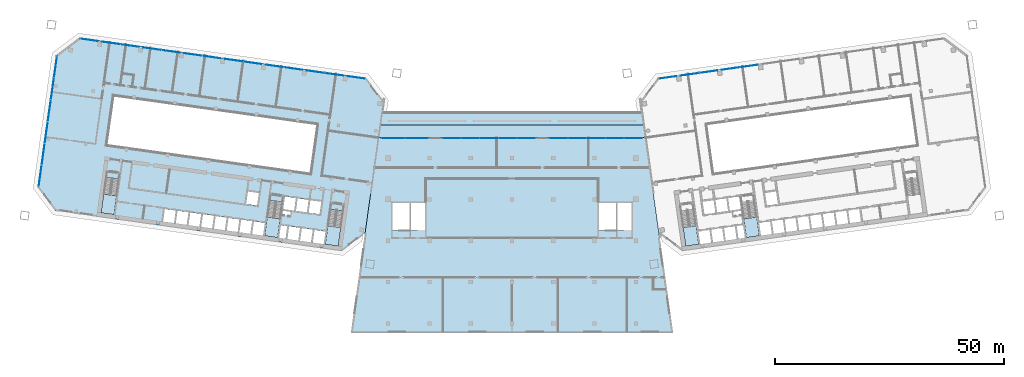
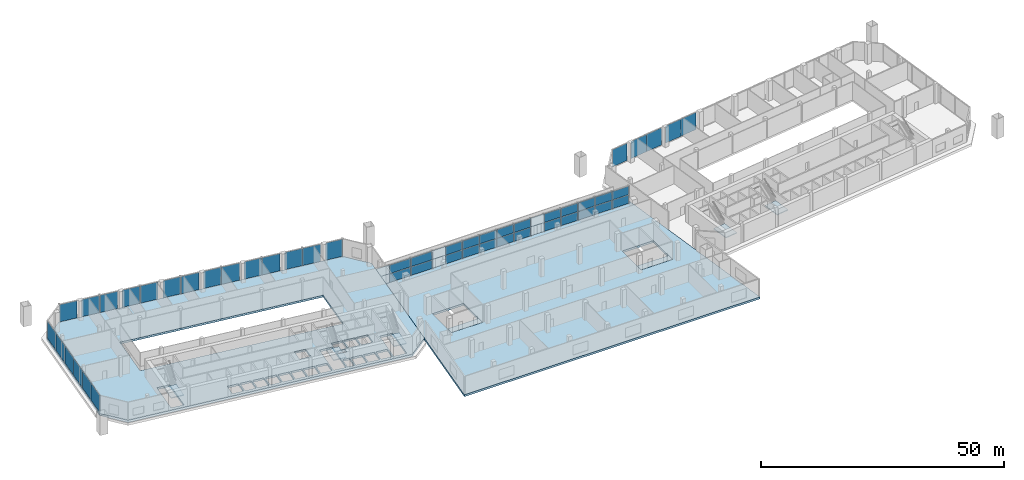
# One storey, part 8 of 21: 49 plates, 11 slabs, 11 elements without a shape of their own.
"""IFC4 building model written with IfcOpenShell, lengths in metres."""

from ifc_helpers import new_model, si_unit, direction, frame, origin, origin_2d, place, context, subcontext, project, spatial, polyline, rectangle, outline, extrude, material, layer, layer_set, type_object, element, aggregate, save


model = new_model("IFC4")

# Units and contexts
model_context = context("Model", 3, precision=1e-05, world=origin(), true_north=direction((0.0, 1.0)))
body_context = subcontext(model_context, "Body", "Model", "MODEL_VIEW")
ifc_project = project(units=[si_unit("LENGTHUNIT", "METRE"), si_unit("AREAUNIT", "SQUARE_METRE"), si_unit("VOLUMEUNIT", "CUBIC_METRE"), si_unit("PLANEANGLEUNIT", "RADIAN"), si_unit("MASSUNIT", "GRAM", prefix="KILO")], contexts=[model_context])

# Site, building, storey
site_placement = place(None, origin())
site = spatial("IfcSite", under=ifc_project, at=site_placement, CompositionType="ELEMENT")
building_placement = place(site_placement, origin())
building = spatial("IfcBuilding", under=site, at=building_placement, Name="Mirante Cascada Hotel Towers", CompositionType="ELEMENT")
storey_placement = place(building_placement, frame((0.0, 0.0, 34.5)))
storey = spatial("IfcBuildingStorey", under=building, at=storey_placement, Name="L05", CompositionType="ELEMENT", Elevation=34.5)

# Curtain wall, plates
ifc_material_1 = material(Name="Aluminium mullion and transom frame with clear laminated glass", Category="aluminium")
curtain_wall_type = type_object("IfcCurtainWallType", Name="Podium curtain wall ECW3", PredefinedType="NOTDEFINED", material=ifc_material_1)
curtain_wall_1_placement = place(storey_placement, origin())
curtain_wall_1 = element("IfcCurtainWall", 1, at=curtain_wall_1_placement, inside=storey, type_object=curtain_wall_type, Name="Front podium glazing T1 L05", PredefinedType="NOTDEFINED")
ifc_material_2 = material(Name="Clear laminated glass", Category="glass")
ifc_layer_1 = layer(ifc_material_2, 0.04)
ifc_layer_set_1 = layer_set([ifc_layer_1], Name="ECW3 glass panel 40")
plate_type = type_object("IfcPlateType", Name="ECW3 glass panel 40", PredefinedType="CURTAIN_PANEL", material=ifc_layer_set_1)
plate_1_placement = place(storey_placement, frame((-92.1787, 25.7739, 0.12), z_axis=(0.0, 0.0, 1.0), x_axis=(0.9902681, -0.1391731, 0.0)))
plate_1 = element("IfcPlate", 2, at=plate_1_placement, type_object=plate_type, Name="ECW3 panel 1", PredefinedType="CURTAIN_PANEL", context=body_context, shape_type="SweptSolid", body=[
    extrude(rectangle(XDim=3.8379, YDim=0.04, at=origin_2d()), origin(), (0.0, 0.0, 1.0), 4.31),
])
plate_2_placement = place(storey_placement, frame((-87.2757, 25.0848, 0.12), z_axis=(0.0, 0.0, 1.0), x_axis=(0.9902681, -0.1391731, 0.0)))
plate_2 = element("IfcPlate", 3, at=plate_2_placement, type_object=plate_type, Name="ECW3 panel 2", PredefinedType="CURTAIN_PANEL", context=body_context, shape_type="SweptSolid", body=[
    extrude(rectangle(XDim=3.9844, YDim=0.04, at=origin_2d()), origin(), (0.0, 0.0, 1.0), 4.31),
])
plate_3_placement = place(storey_placement, frame((-83.2949, 24.5254, 0.12), z_axis=(0.0, 0.0, 1.0), x_axis=(0.9902681, -0.1391731, 0.0)))
plate_3 = element("IfcPlate", 4, at=plate_3_placement, type_object=plate_type, Name="ECW3 panel 3", PredefinedType="CURTAIN_PANEL", context=body_context, shape_type="SweptSolid", body=[
    extrude(rectangle(XDim=3.8956, YDim=0.04, at=origin_2d()), origin(), (0.0, 0.0, 1.0), 4.31),
])
plate_4_placement = place(storey_placement, frame((-78.3721, 23.8335, 0.12), z_axis=(0.0, 0.0, 1.0), x_axis=(0.9902681, -0.1391731, 0.0)))
plate_4 = element("IfcPlate", 5, at=plate_4_placement, type_object=plate_type, Name="ECW3 panel 4", PredefinedType="CURTAIN_PANEL", context=body_context, shape_type="SweptSolid", body=[
    extrude(rectangle(XDim=3.9666, YDim=0.04, at=origin_2d()), origin(), (0.0, 0.0, 1.0), 4.31),
])
plate_5_placement = place(storey_placement, frame((-74.3912, 23.274, 0.12), z_axis=(0.0, 0.0, 1.0), x_axis=(0.9902681, -0.1391731, 0.0)))
plate_5 = element("IfcPlate", 6, at=plate_5_placement, type_object=plate_type, Name="ECW3 panel 5", PredefinedType="CURTAIN_PANEL", context=body_context, shape_type="SweptSolid", body=[
    extrude(rectangle(XDim=3.9134, YDim=0.04, at=origin_2d()), origin(), (0.0, 0.0, 1.0), 4.31),
])
plate_6_placement = place(storey_placement, frame((-69.4685, 22.5822, 0.12), z_axis=(0.0, 0.0, 1.0), x_axis=(0.9902681, -0.1391731, 0.0)))
plate_6 = element("IfcPlate", 7, at=plate_6_placement, type_object=plate_type, Name="ECW3 panel 6", PredefinedType="CURTAIN_PANEL", context=body_context, shape_type="SweptSolid", body=[
    extrude(rectangle(XDim=3.9489, YDim=0.04, at=origin_2d()), origin(), (0.0, 0.0, 1.0), 4.31),
])
plate_7_placement = place(storey_placement, frame((-65.4876, 22.0227, 0.12), z_axis=(0.0, 0.0, 1.0), x_axis=(0.9902681, -0.1391731, 0.0)))
plate_7 = element("IfcPlate", 8, at=plate_7_placement, type_object=plate_type, Name="ECW3 panel 7", PredefinedType="CURTAIN_PANEL", context=body_context, shape_type="SweptSolid", body=[
    extrude(rectangle(XDim=3.9311, YDim=0.04, at=origin_2d()), origin(), (0.0, 0.0, 1.0), 4.31),
])
plate_8_placement = place(storey_placement, frame((-60.5649, 21.3309, 0.12), z_axis=(0.0, 0.0, 1.0), x_axis=(0.9902681, -0.1391731, 0.0)))
plate_8 = element("IfcPlate", 9, at=plate_8_placement, type_object=plate_type, Name="ECW3 panel 8", PredefinedType="CURTAIN_PANEL", context=body_context, shape_type="SweptSolid", body=[
    extrude(rectangle(XDim=3.9311, YDim=0.04, at=origin_2d()), origin(), (0.0, 0.0, 1.0), 4.31),
])
plate_9_placement = place(storey_placement, frame((-56.584, 20.7714, 0.12), z_axis=(0.0, 0.0, 1.0), x_axis=(0.9902681, -0.1391731, 0.0)))
plate_9 = element("IfcPlate", 10, at=plate_9_placement, type_object=plate_type, Name="ECW3 panel 9", PredefinedType="CURTAIN_PANEL", context=body_context, shape_type="SweptSolid", body=[
    extrude(rectangle(XDim=3.9489, YDim=0.04, at=origin_2d()), origin(), (0.0, 0.0, 1.0), 4.31),
])
plate_10_placement = place(storey_placement, frame((-51.6612, 20.0795, 0.12), z_axis=(0.0, 0.0, 1.0), x_axis=(0.9902681, -0.1391731, 0.0)))
plate_10 = element("IfcPlate", 11, at=plate_10_placement, type_object=plate_type, Name="ECW3 panel 10", PredefinedType="CURTAIN_PANEL", context=body_context, shape_type="SweptSolid", body=[
    extrude(rectangle(XDim=3.9134, YDim=0.04, at=origin_2d()), origin(), (0.0, 0.0, 1.0), 4.31),
])
plate_11_placement = place(storey_placement, frame((-47.6804, 19.5201, 0.12), z_axis=(0.0, 0.0, 1.0), x_axis=(0.9902681, -0.1391731, 0.0)))
plate_11 = element("IfcPlate", 12, at=plate_11_placement, type_object=plate_type, Name="ECW3 panel 11", PredefinedType="CURTAIN_PANEL", context=body_context, shape_type="SweptSolid", body=[
    extrude(rectangle(XDim=3.9666, YDim=0.04, at=origin_2d()), origin(), (0.0, 0.0, 1.0), 4.31),
])
plate_12_placement = place(storey_placement, frame((-42.7576, 18.8282, 0.12), z_axis=(0.0, 0.0, 1.0), x_axis=(0.9902681, -0.1391731, 0.0)))
plate_12 = element("IfcPlate", 13, at=plate_12_placement, type_object=plate_type, Name="ECW3 panel 12", PredefinedType="CURTAIN_PANEL", context=body_context, shape_type="SweptSolid", body=[
    extrude(rectangle(XDim=3.8956, YDim=0.04, at=origin_2d()), origin(), (0.0, 0.0, 1.0), 4.31),
])
plate_13_placement = place(storey_placement, frame((-38.7767, 18.2687, 0.12), z_axis=(0.0, 0.0, 1.0), x_axis=(0.9902681, -0.1391731, 0.0)))
plate_13 = element("IfcPlate", 14, at=plate_13_placement, type_object=plate_type, Name="ECW3 panel 13", PredefinedType="CURTAIN_PANEL", context=body_context, shape_type="SweptSolid", body=[
    extrude(rectangle(XDim=3.9844, YDim=0.04, at=origin_2d()), origin(), (0.0, 0.0, 1.0), 4.31),
])
plate_14_placement = place(storey_placement, frame((-33.8738, 17.5797, 0.12), z_axis=(0.0, 0.0, 1.0), x_axis=(0.9902681, -0.1391731, 0.0)))
plate_14 = element("IfcPlate", 15, at=plate_14_placement, type_object=plate_type, Name="ECW3 panel 14", PredefinedType="CURTAIN_PANEL", context=body_context, shape_type="SweptSolid", body=[
    extrude(rectangle(XDim=3.8379, YDim=0.04, at=origin_2d()), origin(), (0.0, 0.0, 1.0), 4.31),
])
aggregate(curtain_wall_1, [plate_1, plate_2, plate_3, plate_4, plate_5, plate_6, plate_7, plate_8, plate_9, plate_10, plate_11, plate_12, plate_13, plate_14])

curtain_wall_2_placement = place(storey_placement, origin())
curtain_wall_2 = element("IfcCurtainWall", 16, at=curtain_wall_2_placement, inside=storey, type_object=curtain_wall_type, Name="Outer end podium glazing T1 L05", PredefinedType="NOTDEFINED")
plate_15_placement = place(storey_placement, frame((-102.8224, -3.8951, 0.12), z_axis=(0.0, 0.0, 1.0), x_axis=(0.1391731, 0.9902681, 0.0)))
plate_15 = element("IfcPlate", 17, at=plate_15_placement, type_object=plate_type, Name="ECW3 panel 1", PredefinedType="CURTAIN_PANEL", context=body_context, shape_type="SweptSolid", body=[
    extrude(rectangle(XDim=4.6926, YDim=0.04, at=origin_2d()), origin(), (0.0, 0.0, 1.0), 4.31),
])
plate_16_placement = place(storey_placement, frame((-102.1554, 0.8509, 0.12), z_axis=(0.0, 0.0, 1.0), x_axis=(0.1391731, 0.9902681, 0.0)))
plate_16 = element("IfcPlate", 18, at=plate_16_placement, type_object=plate_type, Name="ECW3 panel 2", PredefinedType="CURTAIN_PANEL", context=body_context, shape_type="SweptSolid", body=[
    extrude(rectangle(XDim=4.7326, YDim=0.04, at=origin_2d()), origin(), (0.0, 0.0, 1.0), 4.31),
])
plate_17_placement = place(storey_placement, frame((-101.4857, 5.6167, 0.12), z_axis=(0.0, 0.0, 1.0), x_axis=(0.1391731, 0.9902681, 0.0)))
plate_17 = element("IfcPlate", 19, at=plate_17_placement, type_object=plate_type, Name="ECW3 panel 3", PredefinedType="CURTAIN_PANEL", context=body_context, shape_type="SweptSolid", body=[
    extrude(rectangle(XDim=4.7326, YDim=0.04, at=origin_2d()), origin(), (0.0, 0.0, 1.0), 4.31),
])
plate_18_placement = place(storey_placement, frame((-100.8159, 10.3825, 0.12), z_axis=(0.0, 0.0, 1.0), x_axis=(0.1391731, 0.9902681, 0.0)))
plate_18 = element("IfcPlate", 20, at=plate_18_placement, type_object=plate_type, Name="ECW3 panel 4", PredefinedType="CURTAIN_PANEL", context=body_context, shape_type="SweptSolid", body=[
    extrude(rectangle(XDim=4.7326, YDim=0.04, at=origin_2d()), origin(), (0.0, 0.0, 1.0), 4.31),
])
plate_19_placement = place(storey_placement, frame((-100.1461, 15.1483, 0.12), z_axis=(0.0, 0.0, 1.0), x_axis=(0.1391731, 0.9902681, 0.0)))
plate_19 = element("IfcPlate", 21, at=plate_19_placement, type_object=plate_type, Name="ECW3 panel 5", PredefinedType="CURTAIN_PANEL", context=body_context, shape_type="SweptSolid", body=[
    extrude(rectangle(XDim=4.7326, YDim=0.04, at=origin_2d()), origin(), (0.0, 0.0, 1.0), 4.31),
])
plate_20_placement = place(storey_placement, frame((-99.4791, 19.8942, 0.12), z_axis=(0.0, 0.0, 1.0), x_axis=(0.1391731, 0.9902681, 0.0)))
plate_20 = element("IfcPlate", 22, at=plate_20_placement, type_object=plate_type, Name="ECW3 panel 6", PredefinedType="CURTAIN_PANEL", context=body_context, shape_type="SweptSolid", body=[
    extrude(rectangle(XDim=4.6926, YDim=0.04, at=origin_2d()), origin(), (0.0, 0.0, 1.0), 4.31),
])
aggregate(curtain_wall_2, [plate_15, plate_16, plate_17, plate_18, plate_19, plate_20])

curtain_wall_3_placement = place(storey_placement, origin())
curtain_wall_3 = element("IfcCurtainWall", 23, at=curtain_wall_3_placement, inside=storey, type_object=curtain_wall_type, Name="Front podium glazing T2 L05", PredefinedType="NOTDEFINED")
plate_21_placement = place(storey_placement, frame((51.6612, 20.0795, 0.12), z_axis=(0.0, 0.0, 1.0), x_axis=(-0.9902681, -0.1391731, 0.0)))
plate_21 = element("IfcPlate", 24, at=plate_21_placement, type_object=plate_type, Name="ECW3 panel 10", PredefinedType="CURTAIN_PANEL", context=body_context, shape_type="SweptSolid", body=[
    extrude(rectangle(XDim=3.9134, YDim=0.04, at=origin_2d()), origin(), (0.0, 0.0, 1.0), 4.31),
])
plate_22_placement = place(storey_placement, frame((47.6804, 19.5201, 0.12), z_axis=(0.0, 0.0, 1.0), x_axis=(-0.9902681, -0.1391731, 0.0)))
plate_22 = element("IfcPlate", 25, at=plate_22_placement, type_object=plate_type, Name="ECW3 panel 11", PredefinedType="CURTAIN_PANEL", context=body_context, shape_type="SweptSolid", body=[
    extrude(rectangle(XDim=3.9666, YDim=0.04, at=origin_2d()), origin(), (0.0, 0.0, 1.0), 4.31),
])
plate_23_placement = place(storey_placement, frame((42.7576, 18.8282, 0.12), z_axis=(0.0, 0.0, 1.0), x_axis=(-0.9902681, -0.1391731, 0.0)))
plate_23 = element("IfcPlate", 26, at=plate_23_placement, type_object=plate_type, Name="ECW3 panel 12", PredefinedType="CURTAIN_PANEL", context=body_context, shape_type="SweptSolid", body=[
    extrude(rectangle(XDim=3.8956, YDim=0.04, at=origin_2d()), origin(), (0.0, 0.0, 1.0), 4.31),
])
plate_24_placement = place(storey_placement, frame((38.7767, 18.2687, 0.12), z_axis=(0.0, 0.0, 1.0), x_axis=(-0.9902681, -0.1391731, 0.0)))
plate_24 = element("IfcPlate", 27, at=plate_24_placement, type_object=plate_type, Name="ECW3 panel 13", PredefinedType="CURTAIN_PANEL", context=body_context, shape_type="SweptSolid", body=[
    extrude(rectangle(XDim=3.9844, YDim=0.04, at=origin_2d()), origin(), (0.0, 0.0, 1.0), 4.31),
])
plate_25_placement = place(storey_placement, frame((33.8738, 17.5797, 0.12), z_axis=(0.0, 0.0, 1.0), x_axis=(-0.9902681, -0.1391731, 0.0)))
plate_25 = element("IfcPlate", 28, at=plate_25_placement, type_object=plate_type, Name="ECW3 panel 14", PredefinedType="CURTAIN_PANEL", context=body_context, shape_type="SweptSolid", body=[
    extrude(rectangle(XDim=3.8379, YDim=0.04, at=origin_2d()), origin(), (0.0, 0.0, 1.0), 4.31),
])
aggregate(curtain_wall_3, [plate_21, plate_22, plate_23, plate_24, plate_25])

curtain_wall_4_placement = place(storey_placement, origin())
curtain_wall_4 = element("IfcCurtainWall", 29, at=curtain_wall_4_placement, inside=storey, type_object=curtain_wall_type, Name="Podium curtain wall L05 run 3.1", PredefinedType="NOTDEFINED")
plate_26_placement = place(storey_placement, frame((26.4295, 4.35, 0.12), z_axis=(0.0, 0.0, 1.0), x_axis=(-1.0, 0.0, 0.0)))
plate_26 = element("IfcPlate", 30, at=plate_26_placement, type_object=plate_type, Name="ECW3 panel 1", PredefinedType="CURTAIN_PANEL", context=body_context, shape_type="SweptSolid", body=[
    extrude(rectangle(XDim=3.9421, YDim=0.04, at=origin_2d()), origin(), (0.0, 0.0, 1.0), 2.095),
])
plate_27_placement = place(storey_placement, frame((26.4295, 4.35, 2.335), z_axis=(0.0, 0.0, 1.0), x_axis=(-1.0, 0.0, 0.0)))
plate_27 = element("IfcPlate", 31, at=plate_27_placement, type_object=plate_type, Name="ECW3 panel 1", PredefinedType="CURTAIN_PANEL", context=body_context, shape_type="SweptSolid", body=[
    extrude(rectangle(XDim=3.9421, YDim=0.04, at=origin_2d()), origin(), (0.0, 0.0, 1.0), 2.095),
])
plate_28_placement = place(storey_placement, frame((22.3874, 4.35, 0.12), z_axis=(0.0, 0.0, 1.0), x_axis=(-1.0, 0.0, 0.0)))
plate_28 = element("IfcPlate", 32, at=plate_28_placement, type_object=plate_type, Name="ECW3 panel 2", PredefinedType="CURTAIN_PANEL", context=body_context, shape_type="SweptSolid", body=[
    extrude(rectangle(XDim=3.9821, YDim=0.04, at=origin_2d()), origin(), (0.0, 0.0, 1.0), 2.095),
])
plate_29_placement = place(storey_placement, frame((22.3874, 4.35, 2.335), z_axis=(0.0, 0.0, 1.0), x_axis=(-1.0, 0.0, 0.0)))
plate_29 = element("IfcPlate", 33, at=plate_29_placement, type_object=plate_type, Name="ECW3 panel 2", PredefinedType="CURTAIN_PANEL", context=body_context, shape_type="SweptSolid", body=[
    extrude(rectangle(XDim=3.9821, YDim=0.04, at=origin_2d()), origin(), (0.0, 0.0, 1.0), 2.095),
])
plate_30_placement = place(storey_placement, frame((18.3253, 4.35, 0.12), z_axis=(0.0, 0.0, 1.0), x_axis=(-1.0, 0.0, 0.0)))
plate_30 = element("IfcPlate", 34, at=plate_30_placement, type_object=plate_type, Name="ECW3 panel 3", PredefinedType="CURTAIN_PANEL", context=body_context, shape_type="SweptSolid", body=[
    extrude(rectangle(XDim=3.9821, YDim=0.04, at=origin_2d()), origin(), (0.0, 0.0, 1.0), 2.095),
])
plate_31_placement = place(storey_placement, frame((18.3253, 4.35, 2.335), z_axis=(0.0, 0.0, 1.0), x_axis=(-1.0, 0.0, 0.0)))
plate_31 = element("IfcPlate", 35, at=plate_31_placement, type_object=plate_type, Name="ECW3 panel 3", PredefinedType="CURTAIN_PANEL", context=body_context, shape_type="SweptSolid", body=[
    extrude(rectangle(XDim=3.9821, YDim=0.04, at=origin_2d()), origin(), (0.0, 0.0, 1.0), 2.095),
])
plate_32_placement = place(storey_placement, frame((14.2632, 4.35, 0.12), z_axis=(0.0, 0.0, 1.0), x_axis=(-1.0, 0.0, 0.0)))
plate_32 = element("IfcPlate", 36, at=plate_32_placement, type_object=plate_type, Name="ECW3 panel 4", PredefinedType="CURTAIN_PANEL", context=body_context, shape_type="SweptSolid", body=[
    extrude(rectangle(XDim=3.9821, YDim=0.04, at=origin_2d()), origin(), (0.0, 0.0, 1.0), 2.095),
])
plate_33_placement = place(storey_placement, frame((14.2632, 4.35, 2.335), z_axis=(0.0, 0.0, 1.0), x_axis=(-1.0, 0.0, 0.0)))
plate_33 = element("IfcPlate", 37, at=plate_33_placement, type_object=plate_type, Name="ECW3 panel 4", PredefinedType="CURTAIN_PANEL", context=body_context, shape_type="SweptSolid", body=[
    extrude(rectangle(XDim=3.9821, YDim=0.04, at=origin_2d()), origin(), (0.0, 0.0, 1.0), 2.095),
])
plate_34_placement = place(storey_placement, frame((10.2211, 4.35, 0.12), z_axis=(0.0, 0.0, 1.0), x_axis=(-1.0, 0.0, 0.0)))
plate_34 = element("IfcPlate", 38, at=plate_34_placement, type_object=plate_type, Name="ECW3 panel 5", PredefinedType="CURTAIN_PANEL", context=body_context, shape_type="SweptSolid", body=[
    extrude(rectangle(XDim=3.9421, YDim=0.04, at=origin_2d()), origin(), (0.0, 0.0, 1.0), 2.095),
])
plate_35_placement = place(storey_placement, frame((10.2211, 4.35, 2.335), z_axis=(0.0, 0.0, 1.0), x_axis=(-1.0, 0.0, 0.0)))
plate_35 = element("IfcPlate", 39, at=plate_35_placement, type_object=plate_type, Name="ECW3 panel 5", PredefinedType="CURTAIN_PANEL", context=body_context, shape_type="SweptSolid", body=[
    extrude(rectangle(XDim=3.9421, YDim=0.04, at=origin_2d()), origin(), (0.0, 0.0, 1.0), 2.095),
])
aggregate(curtain_wall_4, [plate_26, plate_27, plate_28, plate_29, plate_30, plate_31, plate_32, plate_33, plate_34, plate_35])

curtain_wall_5_placement = place(storey_placement, origin())
curtain_wall_5 = element("IfcCurtainWall", 40, at=curtain_wall_5_placement, inside=storey, type_object=curtain_wall_type, Name="Podium curtain wall L05 run 3.3", PredefinedType="NOTDEFINED")
plate_36_placement = place(storey_placement, frame((3.1156, 4.35, 0.12), z_axis=(0.0, 0.0, 1.0), x_axis=(-1.0, 0.0, 0.0)))
plate_36 = element("IfcPlate", 41, at=plate_36_placement, type_object=plate_type, Name="ECW3 panel 1", PredefinedType="CURTAIN_PANEL", context=body_context, shape_type="SweptSolid", body=[
    extrude(rectangle(XDim=3.9488, YDim=0.04, at=origin_2d()), origin(), (0.0, 0.0, 1.0), 2.095),
])
plate_37_placement = place(storey_placement, frame((3.1156, 4.35, 2.335), z_axis=(0.0, 0.0, 1.0), x_axis=(-1.0, 0.0, 0.0)))
plate_37 = element("IfcPlate", 42, at=plate_37_placement, type_object=plate_type, Name="ECW3 panel 1", PredefinedType="CURTAIN_PANEL", context=body_context, shape_type="SweptSolid", body=[
    extrude(rectangle(XDim=3.9488, YDim=0.04, at=origin_2d()), origin(), (0.0, 0.0, 1.0), 2.095),
])
plate_38_placement = place(storey_placement, frame((-0.9332, 4.35, 0.12), z_axis=(0.0, 0.0, 1.0), x_axis=(-1.0, 0.0, 0.0)))
plate_38 = element("IfcPlate", 43, at=plate_38_placement, type_object=plate_type, Name="ECW3 panel 2", PredefinedType="CURTAIN_PANEL", context=body_context, shape_type="SweptSolid", body=[
    extrude(rectangle(XDim=3.9888, YDim=0.04, at=origin_2d()), origin(), (0.0, 0.0, 1.0), 2.095),
])
plate_39_placement = place(storey_placement, frame((-0.9332, 4.35, 2.335), z_axis=(0.0, 0.0, 1.0), x_axis=(-1.0, 0.0, 0.0)))
plate_39 = element("IfcPlate", 44, at=plate_39_placement, type_object=plate_type, Name="ECW3 panel 2", PredefinedType="CURTAIN_PANEL", context=body_context, shape_type="SweptSolid", body=[
    extrude(rectangle(XDim=3.9888, YDim=0.04, at=origin_2d()), origin(), (0.0, 0.0, 1.0), 2.095),
])
plate_40_placement = place(storey_placement, frame((-5.002, 4.35, 0.12), z_axis=(0.0, 0.0, 1.0), x_axis=(-1.0, 0.0, 0.0)))
plate_40 = element("IfcPlate", 45, at=plate_40_placement, type_object=plate_type, Name="ECW3 panel 3", PredefinedType="CURTAIN_PANEL", context=body_context, shape_type="SweptSolid", body=[
    extrude(rectangle(XDim=3.9888, YDim=0.04, at=origin_2d()), origin(), (0.0, 0.0, 1.0), 2.095),
])
plate_41_placement = place(storey_placement, frame((-5.002, 4.35, 2.335), z_axis=(0.0, 0.0, 1.0), x_axis=(-1.0, 0.0, 0.0)))
plate_41 = element("IfcPlate", 46, at=plate_41_placement, type_object=plate_type, Name="ECW3 panel 3", PredefinedType="CURTAIN_PANEL", context=body_context, shape_type="SweptSolid", body=[
    extrude(rectangle(XDim=3.9888, YDim=0.04, at=origin_2d()), origin(), (0.0, 0.0, 1.0), 2.095),
])
plate_42_placement = place(storey_placement, frame((-9.0708, 4.35, 0.12), z_axis=(0.0, 0.0, 1.0), x_axis=(-1.0, 0.0, 0.0)))
plate_42 = element("IfcPlate", 47, at=plate_42_placement, type_object=plate_type, Name="ECW3 panel 4", PredefinedType="CURTAIN_PANEL", context=body_context, shape_type="SweptSolid", body=[
    extrude(rectangle(XDim=3.9888, YDim=0.04, at=origin_2d()), origin(), (0.0, 0.0, 1.0), 2.095),
])
plate_43_placement = place(storey_placement, frame((-9.0708, 4.35, 2.335), z_axis=(0.0, 0.0, 1.0), x_axis=(-1.0, 0.0, 0.0)))
plate_43 = element("IfcPlate", 48, at=plate_43_placement, type_object=plate_type, Name="ECW3 panel 4", PredefinedType="CURTAIN_PANEL", context=body_context, shape_type="SweptSolid", body=[
    extrude(rectangle(XDim=3.9888, YDim=0.04, at=origin_2d()), origin(), (0.0, 0.0, 1.0), 2.095),
])
plate_44_placement = place(storey_placement, frame((-13.1196, 4.35, 0.12), z_axis=(0.0, 0.0, 1.0), x_axis=(-1.0, 0.0, 0.0)))
plate_44 = element("IfcPlate", 49, at=plate_44_placement, type_object=plate_type, Name="ECW3 panel 5", PredefinedType="CURTAIN_PANEL", context=body_context, shape_type="SweptSolid", body=[
    extrude(rectangle(XDim=3.9488, YDim=0.04, at=origin_2d()), origin(), (0.0, 0.0, 1.0), 2.095),
])
plate_45_placement = place(storey_placement, frame((-13.1196, 4.35, 2.335), z_axis=(0.0, 0.0, 1.0), x_axis=(-1.0, 0.0, 0.0)))
plate_45 = element("IfcPlate", 50, at=plate_45_placement, type_object=plate_type, Name="ECW3 panel 5", PredefinedType="CURTAIN_PANEL", context=body_context, shape_type="SweptSolid", body=[
    extrude(rectangle(XDim=3.9488, YDim=0.04, at=origin_2d()), origin(), (0.0, 0.0, 1.0), 2.095),
])
aggregate(curtain_wall_5, [plate_36, plate_37, plate_38, plate_39, plate_40, plate_41, plate_42, plate_43, plate_44, plate_45])

curtain_wall_6_placement = place(storey_placement, origin())
curtain_wall_6 = element("IfcCurtainWall", 51, at=curtain_wall_6_placement, inside=storey, type_object=curtain_wall_type, Name="Podium curtain wall L05 run 3.5", PredefinedType="NOTDEFINED")
plate_46_placement = place(storey_placement, frame((-20.7707, 4.35, 0.12), z_axis=(0.0, 0.0, 1.0), x_axis=(-1.0, 0.0, 0.0)))
plate_46 = element("IfcPlate", 52, at=plate_46_placement, type_object=plate_type, Name="ECW3 panel 1", PredefinedType="CURTAIN_PANEL", context=body_context, shape_type="SweptSolid", body=[
    extrude(rectangle(XDim=5.0333, YDim=0.04, at=origin_2d()), origin(), (0.0, 0.0, 1.0), 2.095),
])
plate_47_placement = place(storey_placement, frame((-20.7707, 4.35, 2.335), z_axis=(0.0, 0.0, 1.0), x_axis=(-1.0, 0.0, 0.0)))
plate_47 = element("IfcPlate", 53, at=plate_47_placement, type_object=plate_type, Name="ECW3 panel 1", PredefinedType="CURTAIN_PANEL", context=body_context, shape_type="SweptSolid", body=[
    extrude(rectangle(XDim=5.0333, YDim=0.04, at=origin_2d()), origin(), (0.0, 0.0, 1.0), 2.095),
])
plate_48_placement = place(storey_placement, frame((-25.8839, 4.35, 0.12), z_axis=(0.0, 0.0, 1.0), x_axis=(-1.0, 0.0, 0.0)))
plate_48 = element("IfcPlate", 54, at=plate_48_placement, type_object=plate_type, Name="ECW3 panel 2", PredefinedType="CURTAIN_PANEL", context=body_context, shape_type="SweptSolid", body=[
    extrude(rectangle(XDim=5.0333, YDim=0.04, at=origin_2d()), origin(), (0.0, 0.0, 1.0), 2.095),
])
plate_49_placement = place(storey_placement, frame((-25.8839, 4.35, 2.335), z_axis=(0.0, 0.0, 1.0), x_axis=(-1.0, 0.0, 0.0)))
plate_49 = element("IfcPlate", 55, at=plate_49_placement, type_object=plate_type, Name="ECW3 panel 2", PredefinedType="CURTAIN_PANEL", context=body_context, shape_type="SweptSolid", body=[
    extrude(rectangle(XDim=5.0333, YDim=0.04, at=origin_2d()), origin(), (0.0, 0.0, 1.0), 2.095),
])
aggregate(curtain_wall_6, [plate_46, plate_47, plate_48, plate_49])

# Stair, slab
ifc_material_3 = material(Name="Concrete C35/45", Category="concrete")
stair_type = type_object("IfcStairType", Name="Exit stair half-turn 1350 concrete C35/45", PredefinedType="HALF_TURN_STAIR", material=ifc_material_3)
stair_1_placement = place(storey_placement, origin())
stair_1 = element("IfcStair", 56, at=stair_1_placement, inside=storey, type_object=stair_type, Name="L05 Exit stair A", PredefinedType="HALF_TURN_STAIR")
ifc_material_4 = material(Name="Concrete C35/45", Category="concrete")
ifc_layer_2 = layer(ifc_material_4, 0.2)
ifc_layer_set_2 = layer_set([ifc_layer_2], Name="Exit stair landing 200 concrete C35/45")
slab_type_1 = type_object("IfcSlabType", Name="Exit stair landing 200 concrete C35/45", PredefinedType="LANDING", material=ifc_layer_set_2)
slab_1_placement = place(storey_placement, frame((0.0, 0.0, 2.3)))
slab_1 = element("IfcSlab", 57, at=slab_1_placement, type_object=slab_type_1, Name="ST1-A landing 1", PredefinedType="LANDING", context=body_context, shape_type="SweptSolid", body=[
    extrude(outline(polyline([(-40.1156, -14.6978), (-40.6887, -18.7757), (-37.8665, -19.1723), (-37.2934, -15.0944), (-40.1156, -14.6978)])), origin(), (0.0, 0.0, 1.0), 0.2),
])
aggregate(stair_1, [slab_1])

stair_2_placement = place(storey_placement, origin())
stair_2 = element("IfcStair", 58, at=stair_2_placement, inside=storey, type_object=stair_type, Name="L05 Exit stair B", PredefinedType="HALF_TURN_STAIR")
slab_2_placement = place(storey_placement, frame((0.0, 0.0, 2.3)))
slab_2 = element("IfcSlab", 59, at=slab_2_placement, type_object=slab_type_1, Name="ST1-B landing 1", PredefinedType="LANDING", context=body_context, shape_type="SweptSolid", body=[
    extrude(outline(polyline([(-53.3357, -12.8398), (-53.9088, -16.9177), (-51.0866, -17.3144), (-50.5134, -13.2364), (-53.3357, -12.8398)])), origin(), (0.0, 0.0, 1.0), 0.2),
])
aggregate(stair_2, [slab_2])

stair_3_placement = place(storey_placement, origin())
stair_3 = element("IfcStair", 60, at=stair_3_placement, inside=storey, type_object=stair_type, Name="L05 Exit stair C", PredefinedType="HALF_TURN_STAIR")
slab_3_placement = place(storey_placement, frame((0.0, 0.0, 2.3)))
slab_3 = element("IfcSlab", 61, at=slab_3_placement, type_object=slab_type_1, Name="ST1-C landing 1", PredefinedType="LANDING", context=body_context, shape_type="SweptSolid", body=[
    extrude(outline(polyline([(-88.9854, -7.8296), (-89.5585, -11.9075), (-86.7362, -12.3041), (-86.1631, -8.2262), (-88.9854, -7.8296)])), origin(), (0.0, 0.0, 1.0), 0.2),
])
aggregate(stair_3, [slab_3])

stair_4_placement = place(storey_placement, origin())
stair_4 = element("IfcStair", 62, at=stair_4_placement, inside=storey, type_object=stair_type, Name="L05 Exit stair A", PredefinedType="HALF_TURN_STAIR")
slab_4_placement = place(storey_placement, frame((0.0, 0.0, 2.3)))
slab_4 = element("IfcSlab", 63, at=slab_4_placement, type_object=slab_type_1, Name="ST2-A landing 1", PredefinedType="LANDING", context=body_context, shape_type="SweptSolid", body=[
    extrude(outline(polyline([(37.2934, -15.0944), (37.8665, -19.1723), (40.6887, -18.7757), (40.1156, -14.6978), (37.2934, -15.0944)])), origin(), (0.0, 0.0, 1.0), 0.2),
])
aggregate(stair_4, [slab_4])

stair_5_placement = place(storey_placement, origin())
stair_5 = element("IfcStair", 64, at=stair_5_placement, inside=storey, type_object=stair_type, Name="L05 Exit stair B", PredefinedType="HALF_TURN_STAIR")
slab_5_placement = place(storey_placement, frame((0.0, 0.0, 2.3)))
slab_5 = element("IfcSlab", 65, at=slab_5_placement, type_object=slab_type_1, Name="ST2-B landing 1", PredefinedType="LANDING", context=body_context, shape_type="SweptSolid", body=[
    extrude(outline(polyline([(50.5134, -13.2364), (51.0866, -17.3144), (53.9088, -16.9177), (53.3357, -12.8398), (50.5134, -13.2364)])), origin(), (0.0, 0.0, 1.0), 0.2),
])
aggregate(stair_5, [slab_5])

# Slabs
ifc_material_5 = material(Name="Concrete C35/45", Category="concrete")
ifc_layer_3 = layer(ifc_material_5, 0.5)
ifc_layer_set_3 = layer_set([ifc_layer_3], Name="Floor slab 500 C35/45")
slab_type_2 = type_object("IfcSlabType", Name="Floor slab 500 C35/45", PredefinedType="FLOOR", material=ifc_layer_set_3)
slab_6_placement = place(storey_placement, frame((0.0, 0.0, -0.5)))
element("IfcSlab", 66, at=slab_6_placement, inside=storey, type_object=slab_type_2, Name="Podium floor slab L05", PredefinedType="FLOOR", context=body_context, shape_type="SweptSolid", body=[
    extrude(outline(polyline([(-29.0865, 4.5), (29.0865, 4.5), (35.0595, -38.0), (-35.0595, -38.0), (-29.0865, 4.5)]), holes=[polyline([(26.2, -17.4), (26.2, -9.6), (18.8, -9.6), (18.8, -17.4), (26.2, -17.4)]), polyline([(-18.8, -17.4), (-18.8, -9.6), (-26.2, -9.6), (-26.2, -17.4), (-18.8, -17.4)])]), origin(), (0.0, 0.0, 1.0), 0.5),
])
ifc_material_6 = material(Name="Concrete C40/50", Category="concrete")
ifc_layer_4 = layer(ifc_material_6, 0.5)
ifc_layer_set_4 = layer_set([ifc_layer_4], Name="Post-tensioned flat plate 500 Concrete C40/50")
slab_type_3 = type_object("IfcSlabType", Name="Post-tensioned flat plate 500 Concrete C40/50", PredefinedType="FLOOR", material=ifc_layer_set_4)
slab_7_placement = place(storey_placement, frame((0.0, 0.0, -0.5)))
element("IfcSlab", 67, at=slab_7_placement, inside=storey, type_object=slab_type_3, Name="Floor T1 L05", PredefinedType="FLOOR", context=body_context, shape_type="SweptSolid", body=[
    extrude(outline(polyline([(-32.018, -16.3589), (-27.982, 12.3589), (-31.8119, 17.4414), (-94.1988, 26.2093), (-99.2813, 22.3794), (-103.3173, -6.3384), (-99.4874, -11.4209), (-37.1005, -20.1888), (-32.018, -16.3589)]), holes=[polyline([(-43.0718, -15.6132), (-40.5961, -15.9612), (-40.9858, -18.7339), (-43.4615, -18.386), (-43.0718, -15.6132)]), polyline([(-45.8446, -15.2236), (-43.3689, -15.5715), (-43.7586, -18.3442), (-46.2342, -17.9963), (-45.8446, -15.2236)]), polyline([(-48.6173, -14.8339), (-46.1416, -15.1818), (-46.5313, -17.9546), (-49.007, -17.6066), (-48.6173, -14.8339)]), polyline([(-50.7895, -17.3561), (-50.3998, -14.5834), (-48.9144, -14.7921), (-49.3041, -17.5649), (-50.7895, -17.3561)]), polyline([(-56.6816, -16.528), (-56.2919, -13.7553), (-53.8162, -14.1032), (-54.2059, -16.876), (-56.6816, -16.528)]), polyline([(-36.7887, -11.5037), (-37.8665, -19.1723), (-40.6887, -18.7757), (-39.611, -11.107), (-36.7887, -11.5037)]), polyline([(-50.0088, -9.6457), (-51.0866, -17.3144), (-53.9088, -16.9177), (-52.8311, -9.2491), (-50.0088, -9.6457)]), polyline([(-49.9544, -11.4145), (-48.1472, -11.6685), (-48.2829, -12.634), (-50.0901, -12.38), (-49.9544, -11.4145)]), polyline([(-44.3672, -11.8968), (-43.9775, -9.124), (-41.5018, -9.472), (-41.8915, -12.2447), (-44.3672, -11.8968)]), polyline([(-47.1399, -11.5071), (-46.7503, -8.7344), (-44.2746, -9.0823), (-44.6643, -11.855), (-47.1399, -11.5071)]), polyline([(-49.523, -8.3447), (-47.0473, -8.6926), (-47.437, -11.4654), (-49.9127, -11.1174), (-49.523, -8.3447)]), polyline([(-59.0646, -13.3656), (-56.589, -13.7135), (-56.9787, -16.4863), (-59.4543, -16.1383), (-59.0646, -13.3656)]), polyline([(-61.8374, -12.9759), (-59.3617, -13.3238), (-59.7514, -16.0966), (-62.2271, -15.7487), (-61.8374, -12.9759)]), polyline([(-64.9998, -15.359), (-64.6101, -12.5862), (-62.1345, -12.9342), (-62.5242, -15.7069), (-64.9998, -15.359)]), polyline([(-67.7726, -14.9693), (-67.3829, -12.1965), (-64.9072, -12.5445), (-65.2969, -15.3172), (-67.7726, -14.9693)]), polyline([(-70.1556, -11.8069), (-67.68, -12.1548), (-68.0697, -14.9275), (-70.5453, -14.5796), (-70.1556, -11.8069)]), polyline([(-73.3181, -14.1899), (-72.9284, -11.4172), (-70.4527, -11.7651), (-70.8424, -14.5379), (-73.3181, -14.1899)]), polyline([(-76.0908, -13.8002), (-75.7011, -11.0275), (-73.2255, -11.3754), (-73.6152, -14.1482), (-76.0908, -13.8002)]), polyline([(-85.6585, -4.6355), (-86.7362, -12.3041), (-89.5585, -11.9075), (-88.4807, -4.2388), (-85.6585, -4.6355)]), polyline([(-57.9834, -9.9832), (-57.5937, -7.2104), (-55.118, -7.5583), (-55.5077, -10.3311), (-57.9834, -9.9832)]), polyline([(-88.4039, 2.7747), (-86.873, 13.6677), (-42.3109, 7.4049), (-43.8418, -3.4881), (-88.4039, 2.7747)])]), origin(), (0.0, 0.0, 1.0), 0.5),
])
ifc_material_7 = material(Name="Concrete C35/45", Category="concrete")
ifc_layer_5 = layer(ifc_material_7, 0.5)
ifc_layer_set_5 = layer_set([ifc_layer_5], Name="Stair floor landing 500 concrete C35/45")
slab_type_4 = type_object("IfcSlabType", Name="Stair floor landing 500 concrete C35/45", PredefinedType="LANDING", material=ifc_layer_set_5)
slab_8_placement = place(storey_placement, frame((0.0, 0.0, -0.5)))
element("IfcSlab", 68, at=slab_8_placement, inside=storey, type_object=slab_type_4, Name="Exit stair 3 floor landing L05", PredefinedType="LANDING", context=body_context, shape_type="SweptSolid", body=[
    extrude(outline(polyline([(-26.2, -17.4), (-18.8, -17.4), (-18.8, -15.775), (-26.2, -15.775), (-26.2, -17.4)])), origin(), (0.0, 0.0, 1.0), 0.5),
])
slab_9_placement = place(storey_placement, frame((0.0, 0.0, -0.5)))
element("IfcSlab", 69, at=slab_9_placement, inside=storey, type_object=slab_type_4, Name="Exit stair 4 floor landing L05", PredefinedType="LANDING", context=body_context, shape_type="SweptSolid", body=[
    extrude(outline(polyline([(18.8, -17.4), (26.2, -17.4), (26.2, -15.775), (18.8, -15.775), (18.8, -17.4)])), origin(), (0.0, 0.0, 1.0), 0.5),
])
ifc_material_8 = material(Name="Concrete C35/45", Category="concrete")
ifc_layer_6 = layer(ifc_material_8, 0.5)
ifc_layer_set_6 = layer_set([ifc_layer_6], Name="Terrace slab 500 C35/45")
slab_type_5 = type_object("IfcSlabType", Name="Terrace slab 500 C35/45", PredefinedType="ROOF", material=ifc_layer_set_6)
slab_10_placement = place(storey_placement, frame((0.0, 0.0, -0.5)))
element("IfcSlab", 70, at=slab_10_placement, inside=storey, type_object=slab_type_5, Name="Planted terrace slab above L04", PredefinedType="ROOF", context=body_context, shape_type="SweptSolid", body=[
    extrude(outline(polyline([(29.0865, 4.5), (-29.0865, 4.5), (-28.7, 7.25), (28.7, 7.25), (29.0865, 4.5)])), origin(), (0.0, 0.0, 1.0), 0.5),
])
slab_11_placement = place(storey_placement, frame((0.0, 0.0, -0.5)))
element("IfcSlab", 71, at=slab_11_placement, inside=storey, type_object=slab_type_5, Name="Planted terrace slab above L04", PredefinedType="ROOF", context=body_context, shape_type="SweptSolid", body=[
    extrude(outline(polyline([(28.3135, 10.0), (28.7, 7.25), (-28.7, 7.25), (-28.3135, 10.0), (28.3135, 10.0)])), origin(), (0.0, 0.0, 1.0), 0.5),
])

save(model, "model.ifc")
